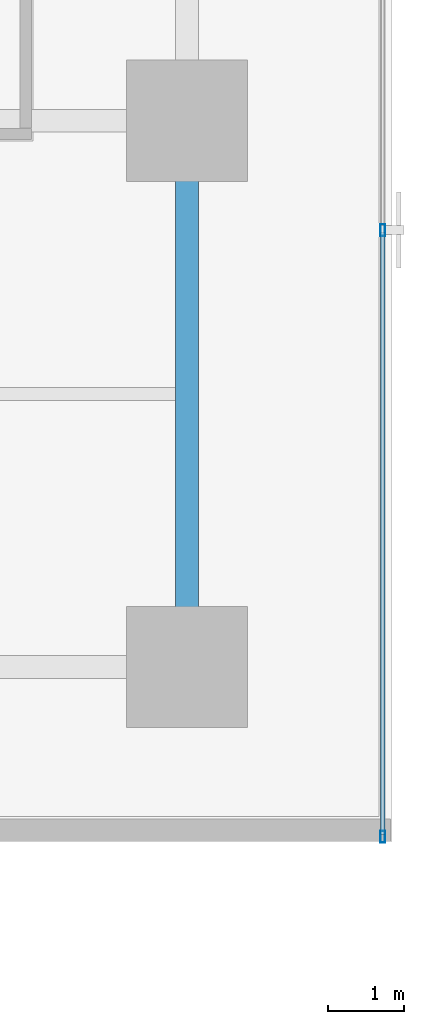
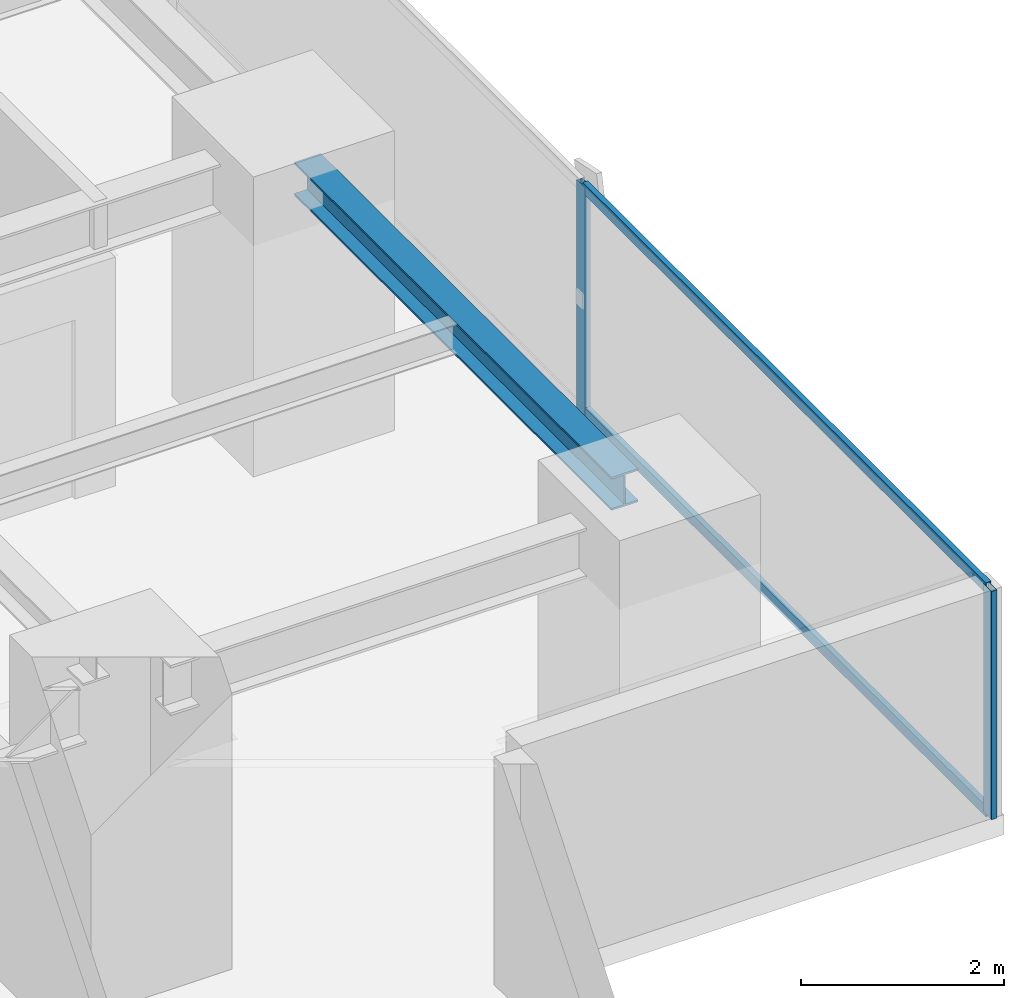
# One storey, part 14 of 34: 4 members, 1 beam, 1 element without a shape of its own.
"""IFC4 building model written with IfcOpenShell, lengths in metres."""

from ifc_helpers import new_model, si_unit, direction, frame, origin, origin_2d, place, context, subcontext, project, spatial, hollow_rectangle, i_section, extrude, source, transform, mapped, material, layer, layer_set, material_profile, profile_set, type_object, element, aggregate, save


model = new_model("IFC4")

# Units and contexts
model_context = context("Model", 3, precision=1e-05, world=origin(), true_north=direction((0.0, 1.0)))
body_context = subcontext(model_context, "Body", "Model", "MODEL_VIEW")
ifc_project = project(units=[si_unit("LENGTHUNIT", "METRE"), si_unit("AREAUNIT", "SQUARE_METRE"), si_unit("VOLUMEUNIT", "CUBIC_METRE"), si_unit("PLANEANGLEUNIT", "RADIAN"), si_unit("MASSUNIT", "GRAM", prefix="KILO")], contexts=[model_context])

# Site, building, storey
site_placement = place(None, origin())
site = spatial("IfcSite", under=ifc_project, at=site_placement, CompositionType="ELEMENT")
building_placement = place(site_placement, origin())
building = spatial("IfcBuilding", under=site, at=building_placement, Name="Sumidabori Civic Tower", CompositionType="ELEMENT")
storey_placement = place(building_placement, frame((0.0, 0.0, 99.199951171875)))
storey = spatial("IfcBuildingStorey", under=building, at=storey_placement, Name="L25", CompositionType="ELEMENT", Elevation=99.199951171875)

# Beam
ifc_material_1 = material(Name="Steel SN490", Category="steel")
ifc_material_profile_1 = material_profile(ifc_material_1, i_section(OverallWidth=0.300048828125, OverallDepth=0.39990234375, WebThickness=0.013427734375, FlangeThickness=0.02392578125, at=origin_2d()), Name="HE 400 B")
ifc_profile_set_1 = profile_set([ifc_material_profile_1], Name="Steel SN490")
beam_type = type_object("IfcBeamType", Name="BM-GIRD-400", PredefinedType="BEAM", material=ifc_profile_set_1)
shared_shape_1 = source(origin(), body_context, "Body", "SweptSolid", [
    extrude(i_section(OverallWidth=0.300048828125, OverallDepth=0.39990234375, WebThickness=0.013427734375, FlangeThickness=0.02392578125, at=origin_2d()), origin(), (0.0, 0.0, 1.0), 6.239990234375),
])
beam_placement = place(storey_placement, frame((22.800048828125, -17.52001953125, 3.16015625), z_axis=(0.0, 1.0, 0.0), x_axis=(-1.0, 0.0, 0.0)))
element("IfcBeam", 1, at=beam_placement, inside=storey, type_object=beam_type, Name="Primary Girder L25 GY-39", PredefinedType="BEAM", context=body_context, shape_type="MappedRepresentation", body=[
    mapped(shared_shape_1, transform((0.0, 0.0, 0.0), x_axis=(1.0, 0.0, 0.0), y_axis=(0.0, 1.0, 0.0), z_axis=(0.0, 0.0, 1.0), scale=1.0)),
])

# Curtain wall, members
ifc_material_2 = material(Name="Anodised Bronze Aluminium AW-6063-T6", Category="aluminium")
ifc_layer = layer(ifc_material_2, 0.179931640625, Name="Anodised Bronze Aluminium AW-6063-T6")
ifc_layer_set = layer_set([ifc_layer], Name="Anodised Bronze Aluminium AW-6063-T6")
curtain_wall_type = type_object("IfcCurtainWallType", Name="CW-SYS-3", PredefinedType="NOTDEFINED", material=ifc_layer_set)
curtain_wall_placement = place(storey_placement, origin())
curtain_wall = element("IfcCurtainWall", 2, at=curtain_wall_placement, inside=storey, type_object=curtain_wall_type, Name="Curtain Wall CW:L25:R04", PredefinedType="NOTDEFINED")
ifc_material_profile_2 = material_profile(ifc_material_2, hollow_rectangle(XDim=0.06494140625, YDim=0.159912109375, WallThickness=0.0048828125, at=origin_2d()), Name="ALU MULLION 160x65")
ifc_profile_set_2 = profile_set([ifc_material_profile_2], Name="Anodised Bronze Aluminium AW-6063-T6")
member_type_1 = type_object("IfcMemberType", Name="CW-MUL-160", PredefinedType="MULLION", material=ifc_profile_set_2)
shared_shape_2 = source(origin(), body_context, "Body", "SweptSolid", [
    extrude(hollow_rectangle(XDim=0.06494140625, YDim=0.159912109375, WallThickness=0.0048828125, at=origin_2d()), origin(), (0.0, 0.0, 1.0), 2.739990234375),
])
member_1_placement = place(storey_placement, frame((25.3798828125, -20.237548828125, 0.0), z_axis=(0.0, 0.0, 1.0), x_axis=(-1.0, 0.0, 0.0)))
member_1 = element("IfcMember", 3, at=member_1_placement, type_object=member_type_1, Name="CW-3 mullion 1", PredefinedType="MULLION", context=body_context, shape_type="MappedRepresentation", body=[
    mapped(shared_shape_2, transform((0.0, 0.0, 0.0), x_axis=(1.0, 0.0, 0.0), y_axis=(0.0, 1.0, 0.0), z_axis=(0.0, 0.0, 1.0), scale=1.0)),
])
member_2_placement = place(storey_placement, frame((25.3798828125, -12.241943359375, 0.0), z_axis=(0.0, 0.0, 1.0), x_axis=(-1.0, 0.0, 0.0)))
member_2 = element("IfcMember", 4, at=member_2_placement, type_object=member_type_1, Name="CW-3 mullion 2", PredefinedType="MULLION", context=body_context, shape_type="MappedRepresentation", body=[
    mapped(shared_shape_2, transform((0.0, 0.0, 0.0), x_axis=(1.0, 0.0, 0.0), y_axis=(0.0, 1.0, 0.0), z_axis=(0.0, 0.0, 1.0), scale=1.0)),
])
ifc_material_profile_3 = material_profile(ifc_material_2, hollow_rectangle(XDim=0.06005859375, YDim=0.1298828125, WallThickness=0.0048828125, at=origin_2d()), Name="ALU TRANSOM 130x60")
ifc_profile_set_3 = profile_set([ifc_material_profile_3], Name="Anodised Bronze Aluminium AW-6063-T6")
member_type_2 = type_object("IfcMemberType", Name="CW-TRN-130", PredefinedType="USERDEFINED", material=ifc_profile_set_3)
shared_shape_3 = source(origin(), body_context, "Body", "SweptSolid", [
    extrude(hollow_rectangle(XDim=0.06005859375, YDim=0.1298828125, WallThickness=0.0048828125, at=origin_2d()), origin(), (0.0, 0.0, 1.0), 7.9306640625),
])
member_3_placement = place(storey_placement, frame((25.3798828125, -20.205078125, 0.030029296875), z_axis=(0.0, 1.0, 0.0), x_axis=(-1.0, 0.0, 0.0)))
member_3 = element("IfcMember", 5, at=member_3_placement, type_object=member_type_2, Name="CW-3 transom 1.1", ObjectType="TRANSOM", PredefinedType="USERDEFINED", context=body_context, shape_type="MappedRepresentation", body=[
    mapped(shared_shape_3, transform((0.0, 0.0, 0.0), x_axis=(1.0, 0.0, 0.0), y_axis=(0.0, 1.0, 0.0), z_axis=(0.0, 0.0, 1.0), scale=1.0)),
])
member_4_placement = place(storey_placement, frame((25.3798828125, -20.205078125, 2.7099609375), z_axis=(0.0, 1.0, 0.0), x_axis=(-1.0, 0.0, 0.0)))
member_4 = element("IfcMember", 6, at=member_4_placement, type_object=member_type_2, Name="CW-3 transom 1.2", ObjectType="TRANSOM", PredefinedType="USERDEFINED", context=body_context, shape_type="MappedRepresentation", body=[
    mapped(shared_shape_3, transform((0.0, 0.0, 0.0), x_axis=(1.0, 0.0, 0.0), y_axis=(0.0, 1.0, 0.0), z_axis=(0.0, 0.0, 1.0), scale=1.0)),
])
aggregate(curtain_wall, [member_1, member_2, member_3, member_4])

save(model, "model.ifc")
